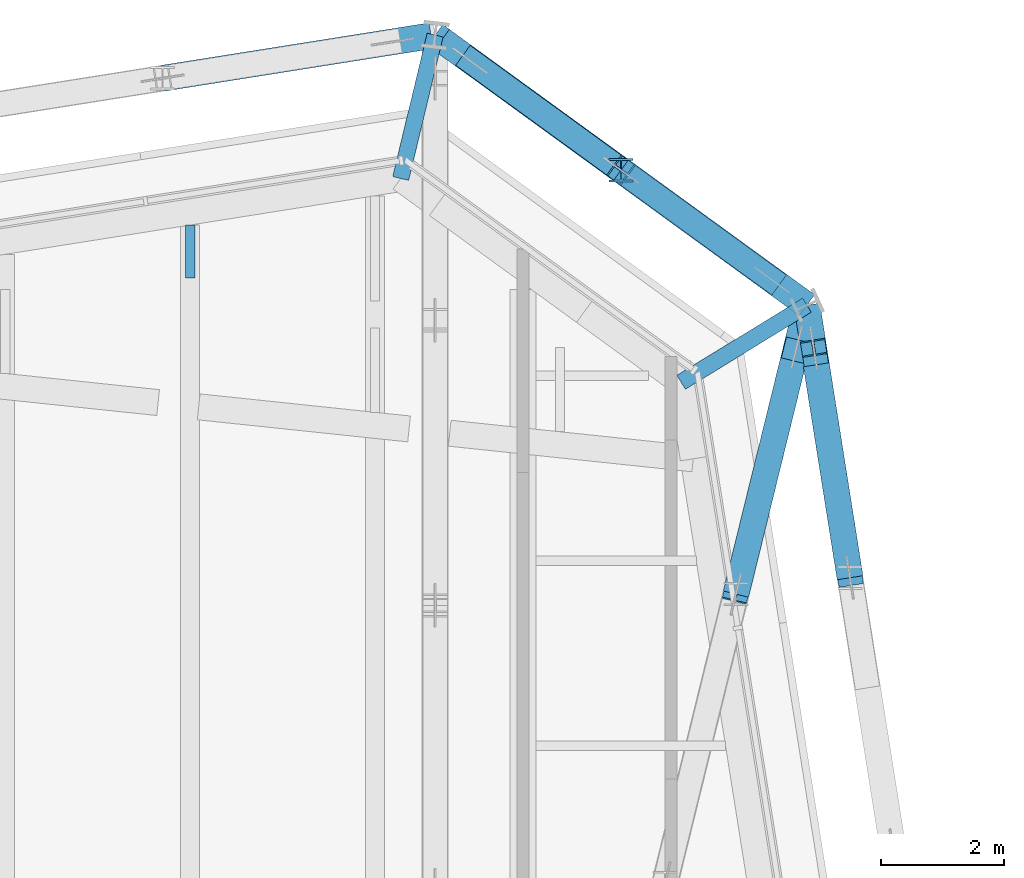
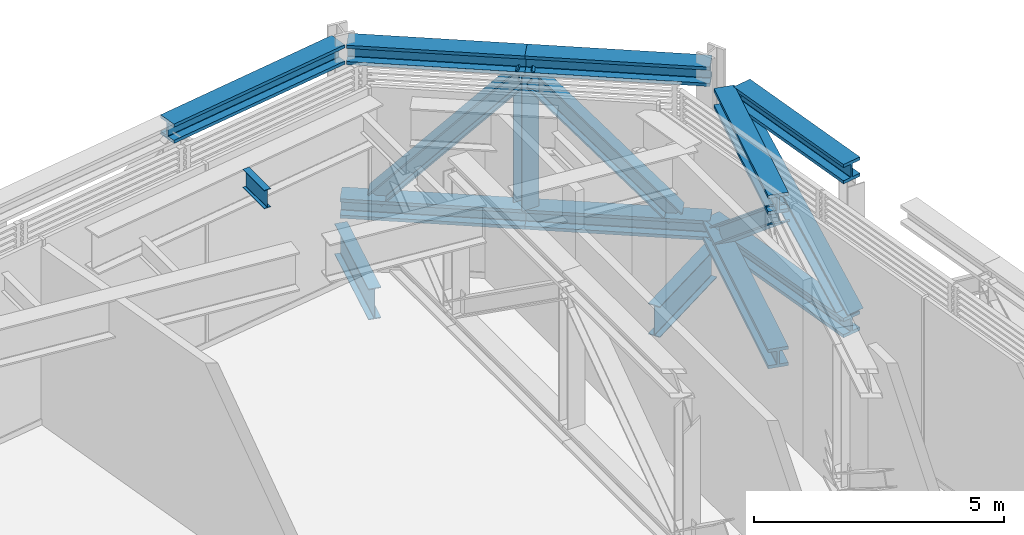
# One storey, part 19 of 32: 12 beams, 5 members.
"""IFC4 building model written with IfcOpenShell, lengths in metres."""

import ifcopenshell
import ifcopenshell.guid

model = None  # the IFC model being written
_history = None  # IfcOwnerHistory: only IFC2X3 demands one
_inside = {}  # id of a spatial element -> (the spatial element, [elements in it])
_under = {}  # id of a project, library or spatial element -> (it, [spatial elements below it])
_declared = {}  # id of a project -> (the project, [libraries it declares])
_typed = {}  # id of a type object -> (the type object, [elements of that type])
_made_of = {}  # id of a material, layer set ... -> (it, [elements and type objects made of it])


def new_model(schema):
    """Start an empty IFC model of exactly this schema.

    Asked for "IFC4X3", IfcOpenShell would pick the latest addendum, in which some entities
    have other attributes; the version numbers below select the first issue.
    IFC2X3 requires an IfcOwnerHistory on every rooted entity: one is made here for all.
    """
    global model, _history
    if schema == "IFC4X3":
        model = ifcopenshell.file(schema_version=(4, 3, 0, 0))
    else:
        model = ifcopenshell.file(schema=schema)
    _inside.clear()
    _under.clear()
    _declared.clear()
    _typed.clear()
    _made_of.clear()
    _history = None
    if model.schema == "IFC2X3":
        org = make("IfcOrganization", Name="unknown")
        user = make(
            "IfcPersonAndOrganization",
            ThePerson=make("IfcPerson", FamilyName="unknown"),
            TheOrganization=org,
        )
        app = make(
            "IfcApplication",
            ApplicationDeveloper=org,
            Version="unknown",
            ApplicationFullName="unknown",
            ApplicationIdentifier="unknown",
        )
        _history = make(
            "IfcOwnerHistory",
            OwningUser=user,
            OwningApplication=app,
            ChangeAction="ADDED",
            CreationDate=0,
        )
    return model


def make(cls, **values):
    """One entity of the class cls with the attributes given. An attribute that is None is left unset."""
    return model.create_entity(
        cls, **{name: value for name, value in values.items() if value is not None}
    )


def rooted(cls, **values):
    """An entity with a GlobalId (a new one), such as an element, a storey or a relation."""
    return make(cls, GlobalId=ifcopenshell.guid.new(), OwnerHistory=_history, **values)


def si_unit(unit_type, name, prefix=None):
    """IfcSIUnit, for example si_unit("LENGTHUNIT", "METRE", prefix="MILLI")."""
    return make("IfcSIUnit", UnitType=unit_type, Prefix=prefix, Name=name)


def assignment(units):
    """IfcUnitAssignment: the units of a project."""
    return None if units is None else make("IfcUnitAssignment", Units=units)


def point(xyz):
    """IfcCartesianPoint."""
    return None if xyz is None else make("IfcCartesianPoint", Coordinates=xyz)


def direction(xyz):
    """IfcDirection."""
    return None if xyz is None else make("IfcDirection", DirectionRatios=xyz)


def frame(location, z_axis=None, x_axis=None):
    """IfcAxis2Placement3D, a coordinate frame: its origin and axes. An axis left out is left unset."""
    return make(
        "IfcAxis2Placement3D",
        Location=point(location),
        Axis=direction(z_axis),
        RefDirection=direction(x_axis),
    )


def frame_2d(location, x_axis=None):
    """IfcAxis2Placement2D, a coordinate frame in the plane: its origin and x axis."""
    return make(
        "IfcAxis2Placement2D", Location=point(location), RefDirection=direction(x_axis)
    )


def origin():
    """The frame at (0, 0, 0) with its axes left unset."""
    return frame((0.0, 0.0, 0.0))


def origin_2d():
    """The frame at (0, 0) in the plane with its x axis left unset."""
    return frame_2d((0.0, 0.0))


def place(relative_to, where):
    """IfcLocalPlacement: puts the frame where relative to a parent placement (None: the world)."""
    return make(
        "IfcLocalPlacement", PlacementRelTo=relative_to, RelativePlacement=where
    )


def context(
    kind, dimensions, precision=None, world=None, true_north=None, identifier=None
):
    """IfcGeometricRepresentationContext, for example the 3D "Model" context."""
    return make(
        "IfcGeometricRepresentationContext",
        ContextIdentifier=identifier,
        ContextType=kind,
        CoordinateSpaceDimension=dimensions,
        Precision=precision,
        WorldCoordinateSystem=world,
        TrueNorth=true_north,
    )


def subcontext(parent, identifier, kind, view, scale=None):
    """IfcGeometricRepresentationSubContext, for example "Body" below "Model"."""
    return make(
        "IfcGeometricRepresentationSubContext",
        ContextIdentifier=identifier,
        ContextType=kind,
        ParentContext=parent,
        TargetScale=scale,
        TargetView=view,
    )


def project(units=None, contexts=None):
    """IfcProject with its units and contexts."""
    return rooted(
        "IfcProject",
        Name="project",
        RepresentationContexts=contexts,
        UnitsInContext=assignment(units),
    )


def spatial(cls, under=None, at=None, **own):
    """A site, building, storey or space (cls), placed at a placement, below another one or the project."""
    s = rooted(cls, ObjectPlacement=at, **own)
    if under is not None:
        _under.setdefault(under.id(), (under, []))[1].append(s)
    return s


def profile(cls, at=None, kind="AREA", **sizes):
    """A parametric profile (cls). Its sizes go by their IFC names, for example OverallWidth=200.0."""
    return make(cls, ProfileType=kind, Position=at, **sizes)


def i_section(**sizes):
    """IfcIShapeProfileDef."""
    return profile("IfcIShapeProfileDef", **sizes)


def extrude(swept, where, along, depth):
    """IfcExtrudedAreaSolid: the profile swept, set in the frame where, extruded along a direction by depth."""
    return make(
        "IfcExtrudedAreaSolid",
        SweptArea=swept,
        Position=where,
        ExtrudedDirection=direction(along),
        Depth=depth,
    )


def shape(context_of_items, identifier, shape_type, items):
    """IfcShapeRepresentation: the items that make up one representation, for example the "Body"."""
    return make(
        "IfcShapeRepresentation",
        ContextOfItems=context_of_items,
        RepresentationIdentifier=identifier,
        RepresentationType=shape_type,
        Items=items,
    )


def material(Name=None, Category=None):
    """IfcMaterial."""
    return make("IfcMaterial", Name=Name, Category=Category)


def material_profile(
    of_material, cross_section, Name=None, Category=None, Priority=None
):
    """IfcMaterialProfile: a cross section and its material."""
    return make(
        "IfcMaterialProfile",
        Name=Name,
        Material=of_material,
        Profile=cross_section,
        Priority=Priority,
        Category=Category,
    )


def profile_set(profiles, Name=None, composite=None):
    """IfcMaterialProfileSet."""
    return make(
        "IfcMaterialProfileSet",
        Name=Name,
        MaterialProfiles=profiles,
        CompositeProfile=composite,
    )


def made_of(thing, what):
    """Note that an element or type object is made of a material, layer set ...; save() writes the relation."""
    if what is not None:
        _made_of.setdefault(what.id(), (what, []))[1].append(thing)
    return thing


def type_object(cls, material=None, **own):
    """A type object (cls), such as IfcWallType, which elements share."""
    return made_of(rooted(cls, **own), material)


def element(
    cls,
    number,
    at=None,
    inside=None,
    cuts=None,
    type_object=None,
    material=None,
    context=None,
    identifier="Body",
    shape_type=None,
    held_by="IfcProductDefinitionShape",
    body=None,
    shapes=None,
    **own,
):
    """One element of the class cls, such as IfcWall. Its Tag is "e" and its number.

    at: its placement. inside: the storey or other place that contains it. cuts: it is an
    opening in that element (IfcRelVoidsElement). A single representation is given by context,
    identifier, shape_type and body (its items); several are given by shapes. held_by: the class
    of the entity that holds the representations. save() writes the other relations.
    """
    e = rooted(cls, Tag="e%d" % number, ObjectPlacement=at, **own)
    if body is not None:
        shapes = [shape(context, identifier, shape_type, body)]
    if shapes is not None:
        e.Representation = make(held_by, Representations=shapes)
    if inside is not None:
        _inside.setdefault(inside.id(), (inside, []))[1].append(e)
    if cuts is not None:
        rooted(
            "IfcRelVoidsElement", RelatingBuildingElement=cuts, RelatedOpeningElement=e
        )
    if type_object is not None:
        _typed.setdefault(type_object.id(), (type_object, []))[1].append(e)
    return made_of(e, material)


def aggregate(whole, parts):
    """IfcRelAggregates: a whole, such as a stair, and the parts it consists of."""
    return rooted("IfcRelAggregates", RelatingObject=whole, RelatedObjects=parts)


def save(model, path):
    """Write the relations noted so far, then the file.

    IfcRelAggregates (storeys below a building ...), IfcRelContainedInSpatialStructure (elements
    in a storey), IfcRelDefinesByType, IfcRelAssociatesMaterial and IfcRelDeclares: one each for
    every whole, place, type object, material and project.
    """
    for whole, parts in _under.values():
        aggregate(whole, parts)
    for where, things in _inside.values():
        rooted(
            "IfcRelContainedInSpatialStructure",
            RelatedElements=things,
            RelatingStructure=where,
        )
    for kind, things in _typed.values():
        rooted("IfcRelDefinesByType", RelatedObjects=things, RelatingType=kind)
    for what, things in _made_of.values():
        rooted("IfcRelAssociatesMaterial", RelatedObjects=things, RelatingMaterial=what)
    for by, libraries in _declared.values():
        rooted("IfcRelDeclares", RelatingContext=by, RelatedDefinitions=libraries)
    model.write(path)


model = new_model("IFC4")

# Units and contexts
model_context = context("Model", 3, precision=1e-05, world=origin(), true_north=direction((0.0, 1.0)))
body_context = subcontext(model_context, "Body", "Model", "MODEL_VIEW")
ifc_project = project(units=[si_unit("LENGTHUNIT", "METRE"), si_unit("AREAUNIT", "SQUARE_METRE"), si_unit("VOLUMEUNIT", "CUBIC_METRE"), si_unit("PLANEANGLEUNIT", "RADIAN"), si_unit("MASSUNIT", "GRAM", prefix="KILO")], contexts=[model_context])

# Site, building, storey
site_placement = place(None, origin())
site = spatial("IfcSite", under=ifc_project, at=site_placement, CompositionType="ELEMENT")
building_placement = place(site_placement, origin())
building = spatial("IfcBuilding", under=site, at=building_placement, Name="Millrace Tower", CompositionType="ELEMENT")
storey_placement = place(building_placement, frame((0.0, 0.0, 266.89990234375)))
storey = spatial("IfcBuildingStorey", under=building, at=storey_placement, Name="L61", CompositionType="ELEMENT", Elevation=266.89990234375)

# Beams
ifc_material_1 = material(Name="Steel ASTM A992 Grade 50", Category="steel")
ifc_material_profile_1 = material_profile(ifc_material_1, i_section(OverallWidth=0.424072265625, OverallDepth=0.47509765625, WebThickness=0.0478515625, FlangeThickness=0.0771484375, FilletRadius=0.014892578125, at=origin_2d()))
ifc_profile_set_1 = profile_set([ifc_material_profile_1], Name="Steel ASTM A992 Grade 50")
beam_type_1 = type_object("IfcBeamType", Name="Belt truss chord W14x426", PredefinedType="BEAM", material=ifc_profile_set_1)
beam_1_placement = place(storey_placement, frame((19.706298828125, 23.725341796875, 0.237548828125), z_axis=(-0.156424684061, 0.9876898897, 0.0), x_axis=(-0.9876898897, -0.156424684061, 0.0)))
element("IfcBeam", 1, at=beam_1_placement, inside=storey, type_object=beam_type_1, Name="BLT-L61-R08-B03", PredefinedType="BEAM", context=body_context, shape_type="SweptSolid", body=[
    extrude(i_section(OverallWidth=0.424072265625, OverallDepth=0.47509765625, WebThickness=0.0478515625, FlangeThickness=0.0771484375, FilletRadius=0.014892578125, at=origin_2d()), origin(), (0.0, 0.0, 1.0), 4.476318359375),
])
for number, where, z_axis, x_axis, name in (
    (2, (19.006103515625, 28.146484375, 0.237548828125), (-0.809047509932, 0.587743248938, 0.0), (-0.587743248938, -0.809047509932, 0.0), "BLT-L61-R09-B01"),
    (3, (19.006103515625, 28.146484375, 4.002685546875), (-0.809047509932, 0.587743248938, 0.0), (-0.587743248938, -0.809047509932, 0.0), "BLT-L61-R09-T01"),
):
    element("IfcBeam", number, at=place(storey_placement, frame(where, z_axis=z_axis, x_axis=x_axis)), inside=storey, type_object=beam_type_1, Name=name, PredefinedType="BEAM", context=body_context, shape_type="SweptSolid", body=[
        extrude(i_section(OverallWidth=0.424072265625, OverallDepth=0.47509765625, WebThickness=0.0478515625, FlangeThickness=0.0771484375, FilletRadius=0.014892578125, at=origin_2d()), origin(), (0.0, 0.0, 1.0), 3.727783203125),
    ])
beam_2_placement = place(storey_placement, frame((15.990234375, 30.33740234375, 0.237548828125), z_axis=(-0.809024883744, 0.587774393355, 0.0), x_axis=(-0.587774393355, -0.809024883744, 0.0)))
element("IfcBeam", 4, at=beam_2_placement, inside=storey, type_object=beam_type_1, Name="BLT-L61-R09-B02", PredefinedType="BEAM", context=body_context, shape_type="SweptSolid", body=[
    extrude(i_section(OverallWidth=0.424072265625, OverallDepth=0.47509765625, WebThickness=0.0478515625, FlangeThickness=0.0771484375, FilletRadius=0.014892578125, at=origin_2d()), origin(), (0.0, 0.0, 1.0), 3.7275390625),
])
beam_3_placement = place(storey_placement, frame((19.706298828125, 23.725341796875, 4.002685546875), z_axis=(-0.156471461328, 0.987682480248, 0.0), x_axis=(-0.987682480248, -0.156471461328, 0.0)))
element("IfcBeam", 5, at=beam_3_placement, inside=storey, type_object=beam_type_1, Name="BLT-L61-R08-T03", PredefinedType="BEAM", context=body_context, shape_type="SweptSolid", body=[
    extrude(i_section(OverallWidth=0.424072265625, OverallDepth=0.47509765625, WebThickness=0.0478515625, FlangeThickness=0.0771484375, FilletRadius=0.014892578125, at=origin_2d()), origin(), (0.0, 0.0, 1.0), 3.498046875),
])
beam_4_placement = place(storey_placement, frame((15.990234375, 30.33740234375, 4.002685546875), z_axis=(-0.809012086616, 0.587792007184, 0.0), x_axis=(-0.587792007184, -0.809012086616, 0.0)))
element("IfcBeam", 6, at=beam_4_placement, inside=storey, type_object=beam_type_1, Name="BLT-L61-R09-T02", PredefinedType="BEAM", context=body_context, shape_type="SweptSolid", body=[
    extrude(i_section(OverallWidth=0.424072265625, OverallDepth=0.47509765625, WebThickness=0.0478515625, FlangeThickness=0.0771484375, FilletRadius=0.014892578125, at=origin_2d()), origin(), (0.0, 0.0, 1.0), 3.594482421875),
])
beam_5_placement = place(storey_placement, frame((12.909912109375, 32.51806640625, 4.002685546875), z_axis=(-0.987688798749, -0.15643157234, 0.0), x_axis=(0.15643157234, -0.987688798749, 0.0)))
element("IfcBeam", 7, at=beam_5_placement, inside=storey, type_object=beam_type_1, Name="BLT-L61-R10-T01", PredefinedType="BEAM", context=body_context, shape_type="SweptSolid", body=[
    extrude(i_section(OverallWidth=0.424072265625, OverallDepth=0.47509765625, WebThickness=0.0478515625, FlangeThickness=0.0771484375, FilletRadius=0.014892578125, at=origin_2d()), origin(), (0.0, 0.0, 1.0), 4.410400390625),
])

# Members
ifc_material_2 = material(Name="Steel ASTM A992 Grade 50", Category="steel")
ifc_material_profile_2 = material_profile(ifc_material_2, i_section(OverallWidth=0.398681640625, OverallDepth=0.385986328125, WebThickness=0.02099609375, FlangeThickness=0.033203125, FilletRadius=0.01513671875, at=origin_2d()))
ifc_profile_set_2 = profile_set([ifc_material_profile_2], Name="Steel ASTM A992 Grade 50")
member_type_1 = type_object("IfcMemberType", Name="Belt truss diagonal W14x176", PredefinedType="BRACE", material=ifc_profile_set_2)
member_1_placement = place(storey_placement, frame((19.706298828125, 23.725341796875, 0.47509765625), z_axis=(-0.117965202171, 0.744691898166, 0.656900439856), x_axis=(-0.987684735163, -0.156457227145, 0.0)))
element("IfcMember", 8, at=member_1_placement, inside=storey, type_object=member_type_1, Name="BLT-L61-R08-D03", PredefinedType="BRACE", context=body_context, shape_type="SweptSolid", body=[
    extrude(i_section(OverallWidth=0.398681640625, OverallDepth=0.385986328125, WebThickness=0.02099609375, FlangeThickness=0.033203125, FilletRadius=0.01513671875, at=origin_2d()), origin(), (0.0, 0.0, 1.0), 5.008544921875),
])
member_2_placement = place(storey_placement, frame((18.439697265625, 28.557861328125, 0.47509765625), z_axis=(-0.547839944581, 0.398007112135, 0.735840834564), x_axis=(-0.587764078554, -0.809032377573, 0.0)))
element("IfcMember", 9, at=member_2_placement, inside=storey, type_object=member_type_1, Name="BLT-L61-R09-D01", PredefinedType="BRACE", context=body_context, shape_type="SweptSolid", body=[
    extrude(i_section(OverallWidth=0.398681640625, OverallDepth=0.385986328125, WebThickness=0.02099609375, FlangeThickness=0.033203125, FilletRadius=0.01513671875, at=origin_2d()), origin(), (0.0, 0.0, 1.0), 4.47119140625),
])
member_3_placement = place(storey_placement, frame((13.541015625, 32.116943359375, 0.47509765625), z_axis=(0.547801727227, -0.398019018118, 0.735862846503), x_axis=(0.58780242498, 0.809004517409, 0.0)))
element("IfcMember", 10, at=member_3_placement, inside=storey, type_object=member_type_1, Name="BLT-L61-R09-D02", PredefinedType="BRACE", context=body_context, shape_type="SweptSolid", body=[
    extrude(i_section(OverallWidth=0.398681640625, OverallDepth=0.385986328125, WebThickness=0.02099609375, FlangeThickness=0.033203125, FilletRadius=0.01513671875, at=origin_2d()), origin(), (0.0, 0.0, 1.0), 4.470947265625),
])
ifc_material_3 = material(Name="Steel ASTM A992 Grade 50", Category="steel")
ifc_material_profile_3 = material_profile(ifc_material_3, i_section(OverallWidth=0.393798828125, OverallDepth=0.3759765625, WebThickness=0.017333984375, FlangeThickness=0.027587890625, FilletRadius=0.01513671875, at=origin_2d()))
ifc_profile_set_3 = profile_set([ifc_material_profile_3], Name="Steel ASTM A992 Grade 50")
member_type_2 = type_object("IfcMemberType", Name="Belt truss post W14x145", PredefinedType="POST", material=ifc_profile_set_3)
member_4_placement = place(storey_placement, frame((15.990234375, 30.33740234375, 0.47509765625), z_axis=(0.0, 0.0, 1.0), x_axis=(1.0, 0.0, 0.0)))
element("IfcMember", 11, at=member_4_placement, inside=storey, type_object=member_type_2, Name="BLT-L61-R09-V01", PredefinedType="POST", context=body_context, shape_type="SweptSolid", body=[
    extrude(i_section(OverallWidth=0.393798828125, OverallDepth=0.3759765625, WebThickness=0.017333984375, FlangeThickness=0.027587890625, FilletRadius=0.01513671875, at=origin_2d()), origin(), (0.0, 0.0, 1.0), 3.2900390625),
])

# Beams
ifc_material_4 = material(Name="Steel ASTM A992 Grade 50", Category="steel")
ifc_material_profile_4 = material_profile(ifc_material_4, i_section(OverallWidth=0.15234375, OverallDepth=0.449462890625, WebThickness=0.007568359375, FlangeThickness=0.0107421875, FilletRadius=0.01025390625, at=origin_2d()))
ifc_profile_set_4 = profile_set([ifc_material_profile_4], Name="Steel ASTM A992 Grade 50")
beam_type_2 = type_object("IfcBeamType", Name="Floor beam W18x35", PredefinedType="JOIST", material=ifc_profile_set_4)
beam_6_placement = place(storey_placement, frame((9.0, 28.583984375, 4.115234375), z_axis=(0.0, 1.0, 0.0), x_axis=(-1.0, 0.0, 0.0)))
element("IfcBeam", 12, at=beam_6_placement, inside=storey, type_object=beam_type_2, Name="BM-D-L61-R3-S004", PredefinedType="JOIST", context=body_context, shape_type="SweptSolid", body=[
    extrude(i_section(OverallWidth=0.15234375, OverallDepth=0.449462890625, WebThickness=0.007568359375, FlangeThickness=0.0107421875, FilletRadius=0.01025390625, at=origin_2d()), origin(), (0.0, 0.0, 1.0), 0.863037109375),
])
ifc_material_5 = material(Name="Steel ASTM A992 Grade 50", Category="steel")
ifc_material_profile_5 = material_profile(ifc_material_5, i_section(OverallWidth=0.2666015625, OverallDepth=0.7568359375, WebThickness=0.013916015625, FlangeThickness=0.019287109375, FilletRadius=0.0166015625, at=origin_2d()))
ifc_profile_set_5 = profile_set([ifc_material_profile_5], Name="Steel ASTM A992 Grade 50")
beam_type_3 = type_object("IfcBeamType", Name="Link beam W30x108", PredefinedType="BEAM", material=ifc_profile_set_5)
beam_7_placement = place(storey_placement, frame((12.416015625, 30.20166015625, -0.62841796875), z_axis=(0.233450132073, 0.972368775638, 0.0), x_axis=(-0.972368775638, 0.233450132073, 0.0)))
element("IfcBeam", 13, at=beam_7_placement, inside=storey, type_object=beam_type_3, Name="LNK-D-L61-S1-08", PredefinedType="BEAM", context=body_context, shape_type="SweptSolid", body=[
    extrude(i_section(OverallWidth=0.2666015625, OverallDepth=0.7568359375, WebThickness=0.013916015625, FlangeThickness=0.019287109375, FilletRadius=0.0166015625, at=origin_2d()), origin(), (0.0, 0.0, 1.0), 2.392822265625),
])
beam_8_placement = place(storey_placement, frame((16.965576171875, 26.89599609375, -0.62841796875), z_axis=(0.852630574222, 0.522514214066, 0.0), x_axis=(-0.522514214066, 0.852630574222, 0.0)))
element("IfcBeam", 14, at=beam_8_placement, inside=storey, type_object=beam_type_3, Name="LNK-D-L61-S1-09", PredefinedType="BEAM", context=body_context, shape_type="SweptSolid", body=[
    extrude(i_section(OverallWidth=0.2666015625, OverallDepth=0.7568359375, WebThickness=0.013916015625, FlangeThickness=0.019287109375, FilletRadius=0.0166015625, at=origin_2d()), origin(), (0.0, 0.0, 1.0), 2.393310546875),
])
ifc_material_6 = material(Name="Steel ASTM A992 Grade 50", Category="steel")
ifc_material_profile_6 = material_profile(ifc_material_6, i_section(OverallWidth=0.424072265625, OverallDepth=0.47509765625, WebThickness=0.0478515625, FlangeThickness=0.0771484375, FilletRadius=0.014892578125, at=origin_2d()))
ifc_profile_set_6 = profile_set([ifc_material_profile_6], Name="Steel ASTM A992 Grade 50")
beam_type_4 = type_object("IfcBeamType", Name="Outrigger truss chord W14x426", PredefinedType="BEAM", material=ifc_profile_set_6)
beam_9_placement = place(storey_placement, frame((17.8544921875, 23.459716796875, 0.237548828125), z_axis=(0.238617640527, 0.971113598725, 0.0), x_axis=(-0.971113598725, 0.238617640527, 0.0)))
element("IfcBeam", 15, at=beam_9_placement, inside=storey, type_object=beam_type_4, Name="BLT-L61-O09-B04", PredefinedType="BEAM", context=body_context, shape_type="SweptSolid", body=[
    extrude(i_section(OverallWidth=0.424072265625, OverallDepth=0.47509765625, WebThickness=0.0478515625, FlangeThickness=0.0771484375, FilletRadius=0.014892578125, at=origin_2d()), origin(), (0.0, 0.0, 1.0), 4.826171875),
])
beam_10_placement = place(storey_placement, frame((17.8544921875, 23.459716796875, 4.002685546875), z_axis=(0.238569296323, 0.971125476369, 0.0), x_axis=(-0.971125476369, 0.238569296323, 0.0)))
element("IfcBeam", 16, at=beam_10_placement, inside=storey, type_object=beam_type_4, Name="BLT-L61-O09-T04", PredefinedType="BEAM", context=body_context, shape_type="SweptSolid", body=[
    extrude(i_section(OverallWidth=0.424072265625, OverallDepth=0.47509765625, WebThickness=0.0478515625, FlangeThickness=0.0771484375, FilletRadius=0.014892578125, at=origin_2d()), origin(), (0.0, 0.0, 1.0), 3.89794921875),
])

# Member
ifc_material_7 = material(Name="Steel ASTM A992 Grade 50", Category="steel")
ifc_material_profile_7 = material_profile(ifc_material_7, i_section(OverallWidth=0.398681640625, OverallDepth=0.385986328125, WebThickness=0.02099609375, FlangeThickness=0.033203125, FilletRadius=0.01513671875, at=origin_2d()))
ifc_profile_set_7 = profile_set([ifc_material_profile_7], Name="Steel ASTM A992 Grade 50")
member_type_3 = type_object("IfcMemberType", Name="Outrigger truss diagonal W14x176", PredefinedType="BRACE", material=ifc_profile_set_7)
member_5_placement = place(storey_placement, frame((18.8388671875, 27.466552734375, 0.47509765625), z_axis=(-0.1865361051, -0.759283372247, 0.623452517938), x_axis=(0.97112295469, -0.238579560889, 0.0)))
element("IfcMember", 17, at=member_5_placement, inside=storey, type_object=member_type_3, Name="BLT-L61-O09-D04", PredefinedType="BRACE", context=body_context, shape_type="SweptSolid", body=[
    extrude(i_section(OverallWidth=0.398681640625, OverallDepth=0.385986328125, WebThickness=0.02099609375, FlangeThickness=0.033203125, FilletRadius=0.01513671875, at=origin_2d()), origin(), (0.0, 0.0, 1.0), 5.277099609375),
])

save(model, "model.ifc")
